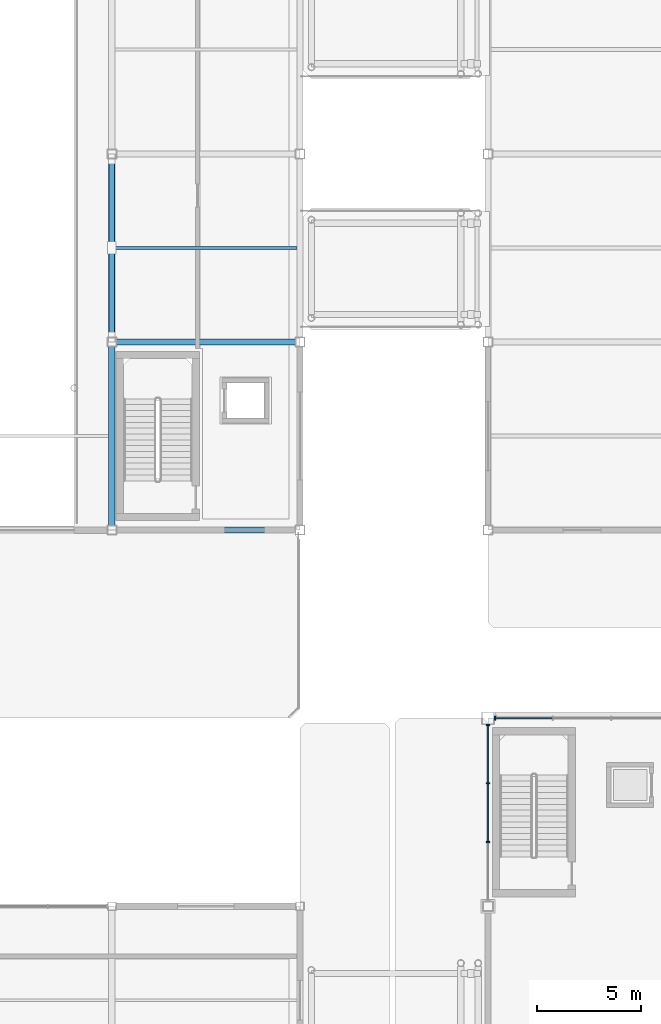
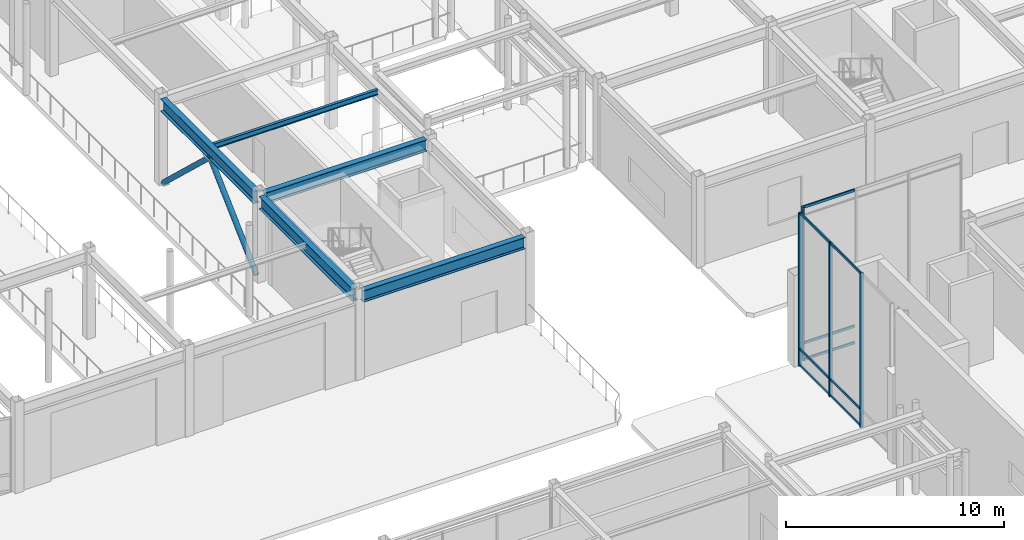
# One storey, part 39 of 123: 15 members, 5 beams, 2 elements without a shape of their own.
"""IFC4 building model written with IfcOpenShell, lengths in metres."""

from ifc_helpers import new_model, si_unit, direction, frame, origin, origin_2d, place, context, subcontext, project, spatial, rectangle, hollow_circle, i_section, extrude, material, material_profile, profile_set, type_object, element, aggregate, save


model = new_model("IFC4")

# Units and contexts
model_context = context("Model", 3, precision=1e-05, world=origin(), true_north=direction((0.0, 1.0)))
body_context = subcontext(model_context, "Body", "Model", "MODEL_VIEW")
ifc_project = project(units=[si_unit("LENGTHUNIT", "METRE"), si_unit("AREAUNIT", "SQUARE_METRE"), si_unit("VOLUMEUNIT", "CUBIC_METRE"), si_unit("PLANEANGLEUNIT", "RADIAN"), si_unit("MASSUNIT", "GRAM", prefix="KILO")], contexts=[model_context])

# Site, building, storey
site_placement = place(None, origin())
site = spatial("IfcSite", under=ifc_project, at=site_placement, CompositionType="ELEMENT")
building_placement = place(site_placement, origin())
building = spatial("IfcBuilding", under=site, at=building_placement, Name="Suzunagisa Mobility Hub", CompositionType="ELEMENT")
storey_placement = place(building_placement, origin())
storey = spatial("IfcBuildingStorey", under=building, at=storey_placement, Name="L00", CompositionType="ELEMENT", Elevation=0.0)

# Curtain wall, members
ifc_material_1 = material(Name="Thermally Broken Anodized Aluminum and Low-E Glazing", Category="aluminium")
curtain_wall_type = type_object("IfcCurtainWallType", Name="Unitised Curtain Wall CW-34 8500x8600", PredefinedType="USERDEFINED", material=ifc_material_1)
curtain_wall_1_placement = place(storey_placement, origin())
curtain_wall_1 = element("IfcCurtainWall", 1, at=curtain_wall_1_placement, inside=storey, type_object=curtain_wall_type, Name="L00 Unitised Curtain Wall CW-42", ObjectType="UNITISED CURTAIN WALL", PredefinedType="USERDEFINED")
ifc_material_2 = material(Name="Anodized Aluminum 6063-T6", Category="aluminium")
ifc_material_profile_1 = material_profile(ifc_material_2, rectangle(XDim=0.06494140625, YDim=0.139892578125, at=origin_2d()), Name="TRAN-65x140")
ifc_profile_set_1 = profile_set([ifc_material_profile_1], Name="Anodized Aluminum 6063-T6")
member_type_1 = type_object("IfcMemberType", Name="Curtain Wall Framing CM-01 TRAN-65x140", PredefinedType="USERDEFINED", material=ifc_profile_set_1)
member_1_placement = place(storey_placement, frame((48.069580078125, 71.0, 0.032470703125), z_axis=(-1.0, 0.0, 0.0), x_axis=(0.0, -1.0, 0.0)))
member_1 = element("IfcMember", 2, at=member_1_placement, type_object=member_type_1, Name="Curtain Wall Transom 42-T3.1", ObjectType="TRANSOM", PredefinedType="USERDEFINED", context=body_context, shape_type="SweptSolid", body=[
    extrude(rectangle(XDim=0.06494140625, YDim=0.139892578125, at=origin_2d()), origin(), (0.0, 0.0, 1.0), 2.70654296875),
])
member_2_placement = place(storey_placement, frame((48.069580078125, 71.0, 0.949951171875), z_axis=(-1.0, 0.0, 0.0), x_axis=(0.0, -1.0, 0.0)))
member_2 = element("IfcMember", 3, at=member_2_placement, type_object=member_type_1, Name="Curtain Wall Transom 42-T3.2", ObjectType="TRANSOM", PredefinedType="USERDEFINED", context=body_context, shape_type="SweptSolid", body=[
    extrude(rectangle(XDim=0.06494140625, YDim=0.139892578125, at=origin_2d()), origin(), (0.0, 0.0, 1.0), 2.70654296875),
])
member_3_placement = place(storey_placement, frame((48.069580078125, 71.0, 8.547607421875), z_axis=(-1.0, 0.0, 0.0), x_axis=(0.0, -1.0, 0.0)))
member_3 = element("IfcMember", 4, at=member_3_placement, type_object=member_type_1, Name="Curtain Wall Transom 42-T3.3", ObjectType="TRANSOM", PredefinedType="USERDEFINED", context=body_context, shape_type="SweptSolid", body=[
    extrude(rectangle(XDim=0.06494140625, YDim=0.139892578125, at=origin_2d()), origin(), (0.0, 0.0, 1.0), 2.70654296875),
])

curtain_wall_2_placement = place(storey_placement, origin())
curtain_wall_2 = element("IfcCurtainWall", 5, at=curtain_wall_2_placement, inside=storey, type_object=curtain_wall_type, Name="L00 Unitised Curtain Wall CW-43", ObjectType="UNITISED CURTAIN WALL", PredefinedType="USERDEFINED")
member_4_placement = place(storey_placement, frame((45.0, 70.636962890625, 0.032470703125), z_axis=(0.0, -1.0, 0.0), x_axis=(1.0, 0.0, 0.0)))
member_4 = element("IfcMember", 6, at=member_4_placement, type_object=member_type_1, Name="Curtain Wall Transom 43-T1.1", ObjectType="TRANSOM", PredefinedType="USERDEFINED", context=body_context, shape_type="SweptSolid", body=[
    extrude(rectangle(XDim=0.06494140625, YDim=0.139892578125, at=origin_2d()), origin(), (0.0, 0.0, 1.0), 2.72314453125),
])
member_5_placement = place(storey_placement, frame((45.0, 70.636962890625, 0.949951171875), z_axis=(0.0, -1.0, 0.0), x_axis=(1.0, 0.0, 0.0)))
member_5 = element("IfcMember", 7, at=member_5_placement, type_object=member_type_1, Name="Curtain Wall Transom 43-T1.2", ObjectType="TRANSOM", PredefinedType="USERDEFINED", context=body_context, shape_type="SweptSolid", body=[
    extrude(rectangle(XDim=0.06494140625, YDim=0.139892578125, at=origin_2d()), origin(), (0.0, 0.0, 1.0), 2.72314453125),
])
member_6_placement = place(storey_placement, frame((45.0, 70.636962890625, 8.547607421875), z_axis=(0.0, -1.0, 0.0), x_axis=(1.0, 0.0, 0.0)))
member_6 = element("IfcMember", 8, at=member_6_placement, type_object=member_type_1, Name="Curtain Wall Transom 43-T1.3", ObjectType="TRANSOM", PredefinedType="USERDEFINED", context=body_context, shape_type="SweptSolid", body=[
    extrude(rectangle(XDim=0.06494140625, YDim=0.139892578125, at=origin_2d()), origin(), (0.0, 0.0, 1.0), 2.72314453125),
])
member_7_placement = place(storey_placement, frame((45.0, 67.852783203125, 0.032470703125), z_axis=(0.0, -1.0, 0.0), x_axis=(1.0, 0.0, 0.0)))
member_7 = element("IfcMember", 9, at=member_7_placement, type_object=member_type_1, Name="Curtain Wall Transom 43-T2.1", ObjectType="TRANSOM", PredefinedType="USERDEFINED", context=body_context, shape_type="SweptSolid", body=[
    extrude(rectangle(XDim=0.06494140625, YDim=0.139892578125, at=origin_2d()), origin(), (0.0, 0.0, 1.0), 2.755615234375),
])
member_8_placement = place(storey_placement, frame((45.0, 67.852783203125, 0.949951171875), z_axis=(0.0, -1.0, 0.0), x_axis=(1.0, 0.0, 0.0)))
member_8 = element("IfcMember", 10, at=member_8_placement, type_object=member_type_1, Name="Curtain Wall Transom 43-T2.2", ObjectType="TRANSOM", PredefinedType="USERDEFINED", context=body_context, shape_type="SweptSolid", body=[
    extrude(rectangle(XDim=0.06494140625, YDim=0.139892578125, at=origin_2d()), origin(), (0.0, 0.0, 1.0), 2.755615234375),
])
member_9_placement = place(storey_placement, frame((45.0, 67.852783203125, 8.547607421875), z_axis=(0.0, -1.0, 0.0), x_axis=(1.0, 0.0, 0.0)))
member_9 = element("IfcMember", 11, at=member_9_placement, type_object=member_type_1, Name="Curtain Wall Transom 43-T2.3", ObjectType="TRANSOM", PredefinedType="USERDEFINED", context=body_context, shape_type="SweptSolid", body=[
    extrude(rectangle(XDim=0.06494140625, YDim=0.139892578125, at=origin_2d()), origin(), (0.0, 0.0, 1.0), 2.755615234375),
])

# Member
ifc_material_profile_2 = material_profile(ifc_material_2, rectangle(XDim=0.06494140625, YDim=0.179931640625, at=origin_2d()), Name="MULL-65x180")
ifc_profile_set_2 = profile_set([ifc_material_profile_2], Name="Anodized Aluminum 6063-T6")
member_type_2 = type_object("IfcMemberType", Name="Curtain Wall Framing CM-04 MULL-65x180", PredefinedType="MULLION", material=ifc_profile_set_2)
member_10_placement = place(storey_placement, frame((45.33251953125, 71.0, 0.0), z_axis=(0.0, 0.0, 1.0), x_axis=(-1.0, 0.0, 0.0)))
member_10 = element("IfcMember", 12, at=member_10_placement, type_object=member_type_2, Name="Curtain Wall Mullion 42-M4", PredefinedType="MULLION", context=body_context, shape_type="SweptSolid", body=[
    extrude(rectangle(XDim=0.06494140625, YDim=0.179931640625, at=origin_2d()), origin(), (0.0, 0.0, 1.0), 8.580078125),
])

aggregate(curtain_wall_1, [member_10, member_1, member_2, member_3])

member_11_placement = place(storey_placement, frame((45.0, 70.66748046875, 0.0), z_axis=(0.0, 0.0, 1.0), x_axis=(0.0, -1.0, 0.0)))
member_11 = element("IfcMember", 13, at=member_11_placement, type_object=member_type_2, Name="Curtain Wall Mullion 43-M1", PredefinedType="MULLION", context=body_context, shape_type="SweptSolid", body=[
    extrude(rectangle(XDim=0.06494140625, YDim=0.179931640625, at=origin_2d()), origin(), (0.0, 0.0, 1.0), 8.580078125),
])

member_12_placement = place(storey_placement, frame((45.0, 67.88330078125, 0.0), z_axis=(0.0, 0.0, 1.0), x_axis=(0.0, -1.0, 0.0)))
member_12 = element("IfcMember", 14, at=member_12_placement, type_object=member_type_2, Name="Curtain Wall Mullion 43-M2", PredefinedType="MULLION", context=body_context, shape_type="SweptSolid", body=[
    extrude(rectangle(XDim=0.06494140625, YDim=0.179931640625, at=origin_2d()), origin(), (0.0, 0.0, 1.0), 8.580078125),
])

member_13_placement = place(storey_placement, frame((45.0, 65.066650390625, 0.0), z_axis=(0.0, 0.0, 1.0), x_axis=(0.0, -1.0, 0.0)))
member_13 = element("IfcMember", 15, at=member_13_placement, type_object=member_type_2, Name="Curtain Wall Mullion 43-M3", PredefinedType="MULLION", context=body_context, shape_type="SweptSolid", body=[
    extrude(rectangle(XDim=0.06494140625, YDim=0.179931640625, at=origin_2d()), origin(), (0.0, 0.0, 1.0), 8.580078125),
])

aggregate(curtain_wall_2, [member_11, member_12, member_13, member_4, member_5, member_6, member_7, member_8, member_9])

# Members
ifc_material_3 = material(Name="Steel SN490B", Category="steel")
ifc_material_profile_3 = material_profile(ifc_material_3, hollow_circle(Radius=0.1337890625, WallThickness=0.00927734375, at=origin_2d()), Name="CHS-267.4x9.3")
ifc_profile_set_3 = profile_set([ifc_material_profile_3], Name="Steel SN490B")
member_type_3 = type_object("IfcMemberType", Name="Roof Truss and Brace Member MB-06 CHS-267.4x9.3", PredefinedType="BRACE", material=ifc_profile_set_3)
for number, where, z_axis, x_axis, name in (
    (16, (27.0, 89.2451171875, 0.1201171875), (0.0, 0.728092052988, 0.685479366848), (-1.0, 0.0, 0.0), "L00 Concentric Lateral Brace BR-19"),
    (17, (27.0, 97.7548828125, 0.1201171875), (0.0, -0.728092052988, 0.685479366848), (1.0, 0.0, 0.0), "L00 Concentric Lateral Brace BR-20"),
):
    element("IfcMember", number, at=place(storey_placement, frame(where, z_axis=z_axis, x_axis=x_axis)), inside=storey, type_object=member_type_3, Name=name, PredefinedType="BRACE", context=body_context, shape_type="SweptSolid", body=[
        extrude(hollow_circle(Radius=0.1337890625, WallThickness=0.00927734375, at=origin_2d()), origin(), (0.0, 0.0, 1.0), 5.843994140625),
    ])

# Beams
ifc_material_profile_4 = material_profile(ifc_material_3, i_section(OverallWidth=0.300048828125, OverallDepth=0.64990234375, WebThickness=0.012939453125, FlangeThickness=0.02197265625, FilletRadius=0.01611328125, at=origin_2d()), Name="H-650x300x13x22")
ifc_profile_set_4 = profile_set([ifc_material_profile_4], Name="Steel SN490B")
beam_type_1 = type_object("IfcBeamType", Name="Steel Beam BM-10 H-650x300x13x22", PredefinedType="BEAM", material=ifc_profile_set_4)
for number, where, z_axis, x_axis, name in (
    (18, (27.220947265625, 80.0, 4.514892578125), (1.0, 0.0, 0.0), (0.0, 1.0, 0.0), "L00 Primary Girder GX-453"),
    (19, (27.220947265625, 89.0, 4.514892578125), (1.0, 0.0, 0.0), (0.0, 1.0, 0.0), "L00 Primary Girder GX-456"),
):
    element("IfcBeam", number, at=place(storey_placement, frame(where, z_axis=z_axis, x_axis=x_axis)), inside=storey, type_object=beam_type_1, Name=name, PredefinedType="BEAM", context=body_context, shape_type="SweptSolid", body=[
        extrude(i_section(OverallWidth=0.300048828125, OverallDepth=0.64990234375, WebThickness=0.012939453125, FlangeThickness=0.02197265625, FilletRadius=0.01611328125, at=origin_2d()), origin(), (0.0, 0.0, 1.0), 8.55810546875),
    ])
ifc_material_profile_5 = material_profile(ifc_material_3, i_section(OverallWidth=0.300048828125, OverallDepth=0.699951171875, WebThickness=0.012939453125, FlangeThickness=0.02392578125, FilletRadius=0.01806640625, at=origin_2d()), Name="H-700x300x13x24")
ifc_profile_set_5 = profile_set([ifc_material_profile_5], Name="Steel SN490B")
beam_type_2 = type_object("IfcBeamType", Name="Steel Beam BM-11 H-700x300x13x24", PredefinedType="BEAM", material=ifc_profile_set_5)
for number, where, z_axis, x_axis, name in (
    (20, (27.0, 80.220947265625, 4.489990234375), (0.0, 1.0, 0.0), (-1.0, 0.0, 0.0), "L00 Primary Girder GY-471"),
    (21, (27.0, 89.220947265625, 4.489990234375), (0.0, 1.0, 0.0), (-1.0, 0.0, 0.0), "L00 Primary Girder GY-472"),
):
    element("IfcBeam", number, at=place(storey_placement, frame(where, z_axis=z_axis, x_axis=x_axis)), inside=storey, type_object=beam_type_2, Name=name, PredefinedType="BEAM", context=body_context, shape_type="SweptSolid", body=[
        extrude(i_section(OverallWidth=0.300048828125, OverallDepth=0.699951171875, WebThickness=0.012939453125, FlangeThickness=0.02392578125, FilletRadius=0.01806640625, at=origin_2d()), origin(), (0.0, 0.0, 1.0), 8.55810546875),
    ])
ifc_material_4 = material(Name="Steel SN400B", Category="steel")
ifc_material_profile_6 = material_profile(ifc_material_4, i_section(OverallWidth=0.14990234375, OverallDepth=0.300048828125, WebThickness=0.006591796875, FlangeThickness=0.009033203125, FilletRadius=0.008056640625, at=origin_2d()), Name="H-300x150x6.5x9")
ifc_profile_set_6 = profile_set([ifc_material_profile_6], Name="Steel SN400B")
beam_type_3 = type_object("IfcBeamType", Name="Steel Beam BM-24 H-300x150x6.5x9", PredefinedType="JOIST", material=ifc_profile_set_6)
beam_placement = place(storey_placement, frame((27.14990234375, 93.5, 4.68994140625), z_axis=(1.0, 0.0, 0.0), x_axis=(0.0, 1.0, 0.0)))
element("IfcBeam", 22, at=beam_placement, inside=storey, type_object=beam_type_3, Name="L00 Composite Floor Joist J-484", PredefinedType="JOIST", context=body_context, shape_type="SweptSolid", body=[
    extrude(i_section(OverallWidth=0.14990234375, OverallDepth=0.300048828125, WebThickness=0.006591796875, FlangeThickness=0.009033203125, FilletRadius=0.008056640625, at=origin_2d()), origin(), (0.0, 0.0, 1.0), 8.7001953125),
])

save(model, "model.ifc")
